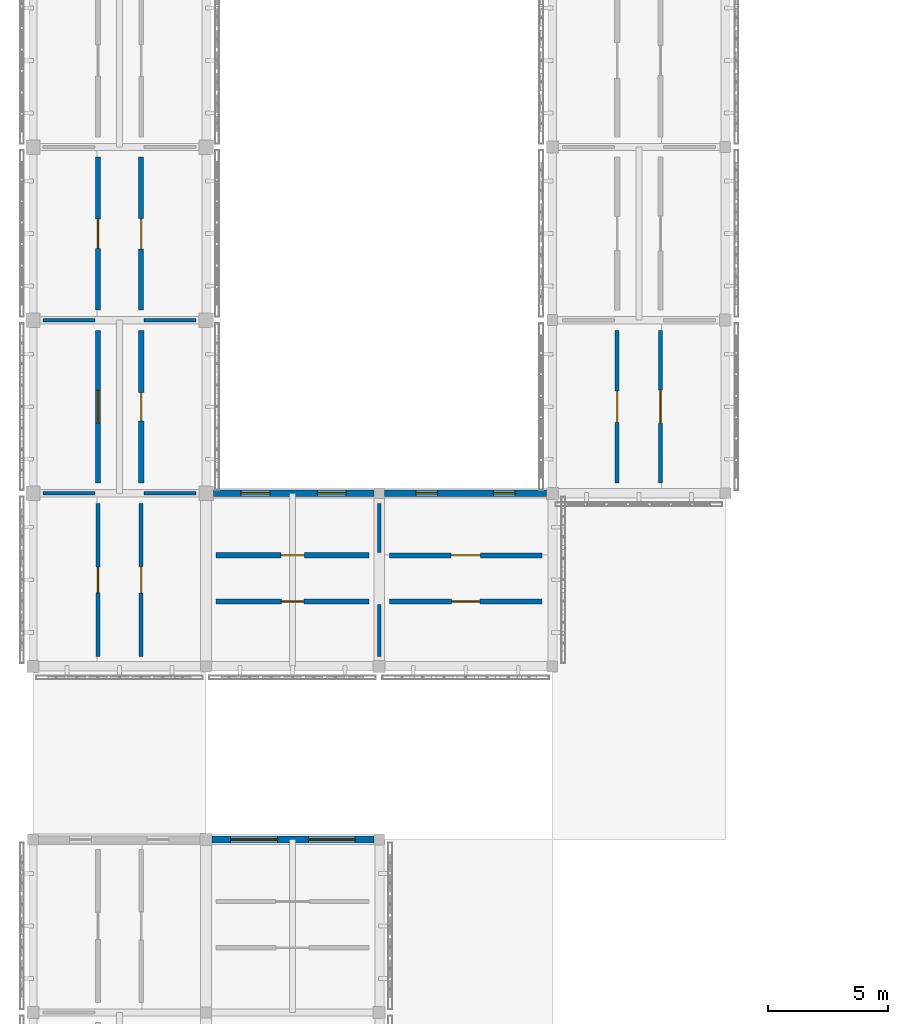
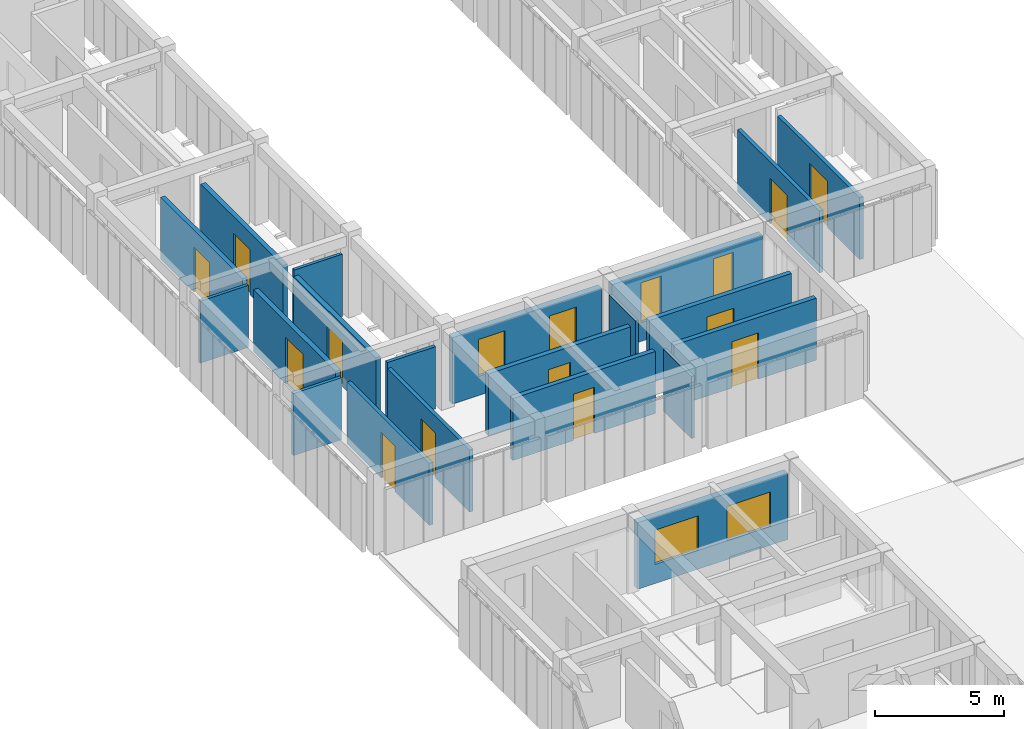
# One storey, part 53 of 67: 21 walls, 12 doors, 6 windows, 18 openings.
"""IFC4 building model written with IfcOpenShell, lengths in metres."""

import ifcopenshell
import ifcopenshell.guid

model = None  # the IFC model being written
_history = None  # IfcOwnerHistory: only IFC2X3 demands one
_inside = {}  # id of a spatial element -> (the spatial element, [elements in it])
_under = {}  # id of a project, library or spatial element -> (it, [spatial elements below it])
_declared = {}  # id of a project -> (the project, [libraries it declares])
_typed = {}  # id of a type object -> (the type object, [elements of that type])
_made_of = {}  # id of a material, layer set ... -> (it, [elements and type objects made of it])


def new_model(schema):
    """Start an empty IFC model of exactly this schema.

    Asked for "IFC4X3", IfcOpenShell would pick the latest addendum, in which some entities
    have other attributes; the version numbers below select the first issue.
    IFC2X3 requires an IfcOwnerHistory on every rooted entity: one is made here for all.
    """
    global model, _history
    if schema == "IFC4X3":
        model = ifcopenshell.file(schema_version=(4, 3, 0, 0))
    else:
        model = ifcopenshell.file(schema=schema)
    _inside.clear()
    _under.clear()
    _declared.clear()
    _typed.clear()
    _made_of.clear()
    _history = None
    if model.schema == "IFC2X3":
        org = make("IfcOrganization", Name="unknown")
        user = make(
            "IfcPersonAndOrganization",
            ThePerson=make("IfcPerson", FamilyName="unknown"),
            TheOrganization=org,
        )
        app = make(
            "IfcApplication",
            ApplicationDeveloper=org,
            Version="unknown",
            ApplicationFullName="unknown",
            ApplicationIdentifier="unknown",
        )
        _history = make(
            "IfcOwnerHistory",
            OwningUser=user,
            OwningApplication=app,
            ChangeAction="ADDED",
            CreationDate=0,
        )
    return model


def make(cls, **values):
    """One entity of the class cls with the attributes given. An attribute that is None is left unset."""
    return model.create_entity(
        cls, **{name: value for name, value in values.items() if value is not None}
    )


def rooted(cls, **values):
    """An entity with a GlobalId (a new one), such as an element, a storey or a relation."""
    return make(cls, GlobalId=ifcopenshell.guid.new(), OwnerHistory=_history, **values)


def si_unit(unit_type, name, prefix=None):
    """IfcSIUnit, for example si_unit("LENGTHUNIT", "METRE", prefix="MILLI")."""
    return make("IfcSIUnit", UnitType=unit_type, Prefix=prefix, Name=name)


def assignment(units):
    """IfcUnitAssignment: the units of a project."""
    return None if units is None else make("IfcUnitAssignment", Units=units)


def point(xyz):
    """IfcCartesianPoint."""
    return None if xyz is None else make("IfcCartesianPoint", Coordinates=xyz)


def direction(xyz):
    """IfcDirection."""
    return None if xyz is None else make("IfcDirection", DirectionRatios=xyz)


def frame(location, z_axis=None, x_axis=None):
    """IfcAxis2Placement3D, a coordinate frame: its origin and axes. An axis left out is left unset."""
    return make(
        "IfcAxis2Placement3D",
        Location=point(location),
        Axis=direction(z_axis),
        RefDirection=direction(x_axis),
    )


def frame_2d(location, x_axis=None):
    """IfcAxis2Placement2D, a coordinate frame in the plane: its origin and x axis."""
    return make(
        "IfcAxis2Placement2D", Location=point(location), RefDirection=direction(x_axis)
    )


def origin():
    """The frame at (0, 0, 0) with its axes left unset."""
    return frame((0.0, 0.0, 0.0))


def place(relative_to, where):
    """IfcLocalPlacement: puts the frame where relative to a parent placement (None: the world)."""
    return make(
        "IfcLocalPlacement", PlacementRelTo=relative_to, RelativePlacement=where
    )


def context(
    kind, dimensions, precision=None, world=None, true_north=None, identifier=None
):
    """IfcGeometricRepresentationContext, for example the 3D "Model" context."""
    return make(
        "IfcGeometricRepresentationContext",
        ContextIdentifier=identifier,
        ContextType=kind,
        CoordinateSpaceDimension=dimensions,
        Precision=precision,
        WorldCoordinateSystem=world,
        TrueNorth=true_north,
    )


def subcontext(parent, identifier, kind, view, scale=None):
    """IfcGeometricRepresentationSubContext, for example "Body" below "Model"."""
    return make(
        "IfcGeometricRepresentationSubContext",
        ContextIdentifier=identifier,
        ContextType=kind,
        ParentContext=parent,
        TargetScale=scale,
        TargetView=view,
    )


def project(units=None, contexts=None):
    """IfcProject with its units and contexts."""
    return rooted(
        "IfcProject",
        Name="project",
        RepresentationContexts=contexts,
        UnitsInContext=assignment(units),
    )


def spatial(cls, under=None, at=None, **own):
    """A site, building, storey or space (cls), placed at a placement, below another one or the project."""
    s = rooted(cls, ObjectPlacement=at, **own)
    if under is not None:
        _under.setdefault(under.id(), (under, []))[1].append(s)
    return s


def profile(cls, at=None, kind="AREA", **sizes):
    """A parametric profile (cls). Its sizes go by their IFC names, for example OverallWidth=200.0."""
    return make(cls, ProfileType=kind, Position=at, **sizes)


def rectangle(**sizes):
    """IfcRectangleProfileDef."""
    return profile("IfcRectangleProfileDef", **sizes)


def extrude(swept, where, along, depth):
    """IfcExtrudedAreaSolid: the profile swept, set in the frame where, extruded along a direction by depth."""
    return make(
        "IfcExtrudedAreaSolid",
        SweptArea=swept,
        Position=where,
        ExtrudedDirection=direction(along),
        Depth=depth,
    )


def shape(context_of_items, identifier, shape_type, items):
    """IfcShapeRepresentation: the items that make up one representation, for example the "Body"."""
    return make(
        "IfcShapeRepresentation",
        ContextOfItems=context_of_items,
        RepresentationIdentifier=identifier,
        RepresentationType=shape_type,
        Items=items,
    )


def material(Name=None, Category=None):
    """IfcMaterial."""
    return make("IfcMaterial", Name=Name, Category=Category)


def layer(
    of_material, thickness, ventilated=None, Name=None, Category=None, Priority=None
):
    """IfcMaterialLayer: one layer of a wall or slab, of a material (None: an air gap)."""
    return make(
        "IfcMaterialLayer",
        Material=of_material,
        LayerThickness=thickness,
        IsVentilated=ventilated,
        Name=Name,
        Category=Category,
        Priority=Priority,
    )


def layer_set(layers, Name=None):
    """IfcMaterialLayerSet."""
    return make("IfcMaterialLayerSet", MaterialLayers=layers, LayerSetName=Name)


def made_of(thing, what):
    """Note that an element or type object is made of a material, layer set ...; save() writes the relation."""
    if what is not None:
        _made_of.setdefault(what.id(), (what, []))[1].append(thing)
    return thing


def type_object(cls, material=None, **own):
    """A type object (cls), such as IfcWallType, which elements share."""
    return made_of(rooted(cls, **own), material)


def element(
    cls,
    number,
    at=None,
    inside=None,
    cuts=None,
    type_object=None,
    material=None,
    context=None,
    identifier="Body",
    shape_type=None,
    held_by="IfcProductDefinitionShape",
    body=None,
    shapes=None,
    **own,
):
    """One element of the class cls, such as IfcWall. Its Tag is "e" and its number.

    at: its placement. inside: the storey or other place that contains it. cuts: it is an
    opening in that element (IfcRelVoidsElement). A single representation is given by context,
    identifier, shape_type and body (its items); several are given by shapes. held_by: the class
    of the entity that holds the representations. save() writes the other relations.
    """
    e = rooted(cls, Tag="e%d" % number, ObjectPlacement=at, **own)
    if body is not None:
        shapes = [shape(context, identifier, shape_type, body)]
    if shapes is not None:
        e.Representation = make(held_by, Representations=shapes)
    if inside is not None:
        _inside.setdefault(inside.id(), (inside, []))[1].append(e)
    if cuts is not None:
        rooted(
            "IfcRelVoidsElement", RelatingBuildingElement=cuts, RelatedOpeningElement=e
        )
    if type_object is not None:
        _typed.setdefault(type_object.id(), (type_object, []))[1].append(e)
    return made_of(e, material)


def fill(opening, filler):
    """IfcRelFillsElement: the door or window that sits in an opening."""
    return rooted(
        "IfcRelFillsElement",
        RelatingOpeningElement=opening,
        RelatedBuildingElement=filler,
    )


def aggregate(whole, parts):
    """IfcRelAggregates: a whole, such as a stair, and the parts it consists of."""
    return rooted("IfcRelAggregates", RelatingObject=whole, RelatedObjects=parts)


def save(model, path):
    """Write the relations noted so far, then the file.

    IfcRelAggregates (storeys below a building ...), IfcRelContainedInSpatialStructure (elements
    in a storey), IfcRelDefinesByType, IfcRelAssociatesMaterial and IfcRelDeclares: one each for
    every whole, place, type object, material and project.
    """
    for whole, parts in _under.values():
        aggregate(whole, parts)
    for where, things in _inside.values():
        rooted(
            "IfcRelContainedInSpatialStructure",
            RelatedElements=things,
            RelatingStructure=where,
        )
    for kind, things in _typed.values():
        rooted("IfcRelDefinesByType", RelatedObjects=things, RelatingType=kind)
    for what, things in _made_of.values():
        rooted("IfcRelAssociatesMaterial", RelatedObjects=things, RelatingMaterial=what)
    for by, libraries in _declared.values():
        rooted("IfcRelDeclares", RelatingContext=by, RelatedDefinitions=libraries)
    model.write(path)


model = new_model("IFC4")

# Units and contexts
model_context = context("Model", 3, precision=1e-05, world=origin(), true_north=direction((0.0, 1.0)))
body_context = subcontext(model_context, "Body", "Model", "MODEL_VIEW")
ifc_project = project(units=[si_unit("LENGTHUNIT", "METRE"), si_unit("AREAUNIT", "SQUARE_METRE"), si_unit("VOLUMEUNIT", "CUBIC_METRE"), si_unit("PLANEANGLEUNIT", "RADIAN"), si_unit("MASSUNIT", "GRAM", prefix="KILO")], contexts=[model_context])

# Site, building, storey
site_placement = place(None, origin())
site = spatial("IfcSite", under=ifc_project, at=site_placement, CompositionType="ELEMENT")
building_placement = place(site_placement, origin())
building = spatial("IfcBuilding", under=site, at=building_placement, Name="Aldebral Square Health Centre", CompositionType="ELEMENT")
storey_placement = place(building_placement, frame((0.0, 0.0, 13.5)))
storey = spatial("IfcBuildingStorey", under=building, at=storey_placement, Name="L03", CompositionType="ELEMENT", Elevation=13.5)

# Wall, openings, windows
ifc_material_1 = material(Name="Ochre mineral-rendered concrete C35/45 court wall", Category="concrete")
ifc_layer_1 = layer(ifc_material_1, 0.280029296875, Name="Ochre mineral-rendered concrete C35/45 court wall", Category="concrete")
ifc_layer_set_1 = layer_set([ifc_layer_1], Name="Ochre mineral-rendered concrete C35/45 court wall")
wall_type_1 = type_object("IfcWallType", Name="EW-OCH-280", PredefinedType="STANDARD", material=ifc_layer_set_1)
wall_1_placement = place(storey_placement, frame((14.175048828125, 50.39990234375, 0.0), z_axis=(0.0, 0.0, 1.0), x_axis=(-1.0, 0.0, 0.0)))
wall_1 = element("IfcWall", 1, at=wall_1_placement, inside=storey, type_object=wall_type_1, Name="L03 V6 exterior wall L03-V6-01-06-N", PredefinedType="STANDARD", context=body_context, shape_type="SweptSolid", body=[
    extrude(rectangle(XDim=6.72509765625, YDim=0.280029296875, at=frame_2d((3.362548828125, 0.0))), origin(), (0.0, 0.0, 1.0), 3.139892578125),
])
opening_1_placement = place(wall_1_placement, frame((0.77490234375, 0.0, 0.89990234375)))
opening_1 = element("IfcOpeningElement", 2, at=opening_1_placement, cuts=wall_1, Name="Opening W35", PredefinedType="OPENING", context=body_context, shape_type="SweptSolid", body=[
    extrude(rectangle(XDim=1.949951171875, YDim=1.6201171875, at=frame_2d((0.97509765625, 0.81005859375))), frame((0.0, 0.14990234375, 0.0), z_axis=(0.0, -1.0, 0.0), x_axis=(1.0, 0.0, 0.0)), (0.0, 0.0, 1.0), 0.300048828125),
])
opening_2_placement = place(wall_1_placement, frame((4.0, 0.0, 0.89990234375)))
opening_2 = element("IfcOpeningElement", 3, at=opening_2_placement, cuts=wall_1, Name="Opening W35", PredefinedType="OPENING", context=body_context, shape_type="SweptSolid", body=[
    extrude(rectangle(XDim=1.949951171875, YDim=1.6201171875, at=frame_2d((0.97509765625, 0.81005859375))), frame((0.0, 0.14990234375, 0.0), z_axis=(0.0, -1.0, 0.0), x_axis=(1.0, 0.0, 0.0)), (0.0, 0.0, 1.0), 0.300048828125),
])
ifc_material_2 = material(Name="Thermally broken aluminium and low-E glass", Category="aluminium")
window_type_1 = type_object("IfcWindowType", Name="WIN-W35", PartitioningType="SINGLE_PANEL", PredefinedType="WINDOW", material=ifc_material_2)
window_1_placement = place(opening_1_placement, origin())
window_1 = element("IfcWindow", 4, at=window_1_placement, inside=storey, type_object=window_type_1, Name="L03 clinical window L03-V6-01-06-N.1", OverallHeight=1.6201171875, OverallWidth=1.949951171875, PartitioningType="SINGLE_PANEL", PredefinedType="WINDOW", context=body_context, shape_type="SweptSolid", body=[
    extrude(rectangle(XDim=1.949951171875, YDim=1.6201171875, at=frame_2d((0.97509765625, 0.81005859375))), frame((0.0, 0.030029296875, 0.0), z_axis=(0.0, -1.0, 0.0), x_axis=(1.0, 0.0, 0.0)), (0.0, 0.0, 1.0), 0.06005859375),
])
fill(opening_1, window_1)
window_2_placement = place(opening_2_placement, origin())
window_2 = element("IfcWindow", 5, at=window_2_placement, inside=storey, type_object=window_type_1, Name="L03 clinical window L03-V6-01-06-N.2", OverallHeight=1.6201171875, OverallWidth=1.949951171875, PartitioningType="SINGLE_PANEL", PredefinedType="WINDOW", context=body_context, shape_type="SweptSolid", body=[
    extrude(rectangle(XDim=1.949951171875, YDim=1.6201171875, at=frame_2d((0.97509765625, 0.81005859375))), frame((0.0, 0.030029296875, 0.0), z_axis=(0.0, -1.0, 0.0), x_axis=(1.0, 0.0, 0.0)), (0.0, 0.0, 1.0), 0.06005859375),
])
fill(opening_2, window_2)

wall_2_placement = place(storey_placement, frame((14.175048828125, 64.800048828125, 0.0), z_axis=(0.0, 0.0, 1.0), x_axis=(-1.0, 0.0, 0.0)))
wall_2 = element("IfcWall", 6, at=wall_2_placement, inside=storey, type_object=wall_type_1, Name="L03 V4 exterior wall L03-V4-01-08-N", PredefinedType="STANDARD", context=body_context, shape_type="SweptSolid", body=[
    extrude(rectangle(XDim=6.675048828125, YDim=0.280029296875, at=frame_2d((3.33740234375, 0.0))), origin(), (0.0, 0.0, 1.0), 3.139892578125),
])
opening_3_placement = place(wall_2_placement, frame((1.14990234375, 0.0, 0.89990234375)))
opening_3 = element("IfcOpeningElement", 7, at=opening_3_placement, cuts=wall_2, Name="Opening W39", PredefinedType="OPENING", context=body_context, shape_type="SweptSolid", body=[
    extrude(rectangle(XDim=1.199951171875, YDim=1.75, at=frame_2d((0.60009765625, 0.875))), frame((0.0, 0.14990234375, 0.0), z_axis=(0.0, -1.0, 0.0), x_axis=(1.0, 0.0, 0.0)), (0.0, 0.0, 1.0), 0.300048828125),
])
opening_4_placement = place(wall_2_placement, frame((4.324951171875, 0.0, 0.89990234375)))
opening_4 = element("IfcOpeningElement", 8, at=opening_4_placement, cuts=wall_2, Name="Opening W39", PredefinedType="OPENING", context=body_context, shape_type="SweptSolid", body=[
    extrude(rectangle(XDim=1.199951171875, YDim=1.75, at=frame_2d((0.60009765625, 0.875))), frame((0.0, 0.14990234375, 0.0), z_axis=(0.0, -1.0, 0.0), x_axis=(1.0, 0.0, 0.0)), (0.0, 0.0, 1.0), 0.300048828125),
])
window_type_2 = type_object("IfcWindowType", Name="WIN-W39", PartitioningType="SINGLE_PANEL", PredefinedType="WINDOW", material=ifc_material_2)
window_3_placement = place(opening_3_placement, origin())
window_3 = element("IfcWindow", 9, at=window_3_placement, inside=storey, type_object=window_type_2, Name="L03 clinical window L03-V4-01-08-N.1", OverallHeight=1.75, OverallWidth=1.199951171875, PartitioningType="SINGLE_PANEL", PredefinedType="WINDOW", context=body_context, shape_type="SweptSolid", body=[
    extrude(rectangle(XDim=1.199951171875, YDim=1.75, at=frame_2d((0.60009765625, 0.875))), frame((0.0, 0.030029296875, 0.0), z_axis=(0.0, -1.0, 0.0), x_axis=(1.0, 0.0, 0.0)), (0.0, 0.0, 1.0), 0.06005859375),
])
fill(opening_3, window_3)
window_4_placement = place(opening_4_placement, origin())
window_4 = element("IfcWindow", 10, at=window_4_placement, inside=storey, type_object=window_type_2, Name="L03 clinical window L03-V4-01-08-N.2", OverallHeight=1.75, OverallWidth=1.199951171875, PartitioningType="SINGLE_PANEL", PredefinedType="WINDOW", context=body_context, shape_type="SweptSolid", body=[
    extrude(rectangle(XDim=1.199951171875, YDim=1.75, at=frame_2d((0.60009765625, 0.875))), frame((0.0, 0.030029296875, 0.0), z_axis=(0.0, -1.0, 0.0), x_axis=(1.0, 0.0, 0.0)), (0.0, 0.0, 1.0), 0.06005859375),
])
fill(opening_4, window_4)

wall_3_placement = place(storey_placement, frame((21.35009765625, 64.800048828125, 0.0), z_axis=(0.0, 0.0, 1.0), x_axis=(-1.0, 0.0, 0.0)))
wall_3 = element("IfcWall", 11, at=wall_3_placement, inside=storey, type_object=wall_type_1, Name="L03 V4 exterior wall L03-V4-02-08-N", PredefinedType="STANDARD", context=body_context, shape_type="SweptSolid", body=[
    extrude(rectangle(XDim=6.72509765625, YDim=0.280029296875, at=frame_2d((3.362548828125, 0.0))), origin(), (0.0, 0.0, 1.0), 3.139892578125),
])
opening_5_placement = place(wall_3_placement, frame((1.300048828125, 0.0, 0.89990234375)))
opening_5 = element("IfcOpeningElement", 12, at=opening_5_placement, cuts=wall_3, Name="Opening W46", PredefinedType="OPENING", context=body_context, shape_type="SweptSolid", body=[
    extrude(rectangle(XDim=0.89990234375, YDim=1.8798828125, at=frame_2d((0.449951171875, 0.93994140625))), frame((0.0, 0.14990234375, 0.0), z_axis=(0.0, -1.0, 0.0), x_axis=(1.0, 0.0, 0.0)), (0.0, 0.0, 1.0), 0.300048828125),
])
opening_6_placement = place(wall_3_placement, frame((4.52490234375, 0.0, 0.89990234375)))
opening_6 = element("IfcOpeningElement", 13, at=opening_6_placement, cuts=wall_3, Name="Opening W46", PredefinedType="OPENING", context=body_context, shape_type="SweptSolid", body=[
    extrude(rectangle(XDim=0.89990234375, YDim=1.8798828125, at=frame_2d((0.449951171875, 0.93994140625))), frame((0.0, 0.14990234375, 0.0), z_axis=(0.0, -1.0, 0.0), x_axis=(1.0, 0.0, 0.0)), (0.0, 0.0, 1.0), 0.300048828125),
])
window_type_3 = type_object("IfcWindowType", Name="WIN-W46", PartitioningType="SINGLE_PANEL", PredefinedType="WINDOW", material=ifc_material_2)
window_5_placement = place(opening_5_placement, origin())
window_5 = element("IfcWindow", 14, at=window_5_placement, inside=storey, type_object=window_type_3, Name="L03 clinical window L03-V4-02-08-N.1", OverallHeight=1.8798828125, OverallWidth=0.89990234375, PartitioningType="SINGLE_PANEL", PredefinedType="WINDOW", context=body_context, shape_type="SweptSolid", body=[
    extrude(rectangle(XDim=0.89990234375, YDim=1.8798828125, at=frame_2d((0.449951171875, 0.93994140625))), frame((0.0, 0.030029296875, 0.0), z_axis=(0.0, -1.0, 0.0), x_axis=(1.0, 0.0, 0.0)), (0.0, 0.0, 1.0), 0.06005859375),
])
fill(opening_5, window_5)
window_6_placement = place(opening_6_placement, origin())
window_6 = element("IfcWindow", 15, at=window_6_placement, inside=storey, type_object=window_type_3, Name="L03 clinical window L03-V4-02-08-N.2", OverallHeight=1.8798828125, OverallWidth=0.89990234375, PartitioningType="SINGLE_PANEL", PredefinedType="WINDOW", context=body_context, shape_type="SweptSolid", body=[
    extrude(rectangle(XDim=0.89990234375, YDim=1.8798828125, at=frame_2d((0.449951171875, 0.93994140625))), frame((0.0, 0.030029296875, 0.0), z_axis=(0.0, -1.0, 0.0), x_axis=(1.0, 0.0, 0.0)), (0.0, 0.0, 1.0), 0.06005859375),
])
fill(opening_6, window_6)

# Wall, opening, door
ifc_material_3 = material(Name="Concrete C35/45 compartment wall", Category="concrete")
ifc_layer_2 = layer(ifc_material_3, 0.199951171875, Name="Concrete C35/45 compartment wall", Category="concrete")
ifc_layer_set_2 = layer_set([ifc_layer_2], Name="Concrete C35/45 compartment wall")
wall_type_2 = type_object("IfcWallType", Name="IW-CMP-200", PredefinedType="SOLIDWALL", material=ifc_layer_set_2)
wall_4_placement = place(storey_placement, frame((2.699951171875, 72.419921875, 0.0), z_axis=(0.0, 0.0, 1.0), x_axis=(0.0, 1.0, 0.0)))
wall_4 = element("IfcWall", 16, at=wall_4_placement, inside=storey, type_object=wall_type_2, Name="L03 Paediatric Examination Room 1.11W corridor wall", PredefinedType="SOLIDWALL", context=body_context, shape_type="SweptSolid", body=[
    extrude(rectangle(XDim=6.360107421875, YDim=0.199951171875, at=frame_2d((3.18017578125, 0.0))), origin(), (0.0, 0.0, 1.0), 2.929931640625),
])
opening_7_placement = place(wall_4_placement, frame((2.570068359375, 0.0, 0.0)))
opening_7 = element("IfcOpeningElement", 17, at=opening_7_placement, cuts=wall_4, Name="Opening D-0538", PredefinedType="OPENING", context=body_context, shape_type="SweptSolid", body=[
    extrude(rectangle(XDim=1.219970703125, YDim=2.139892578125, at=frame_2d((0.60986328125, 1.06982421875))), frame((0.0, 0.10986328125, 0.0), z_axis=(0.0, -1.0, 0.0), x_axis=(1.0, 0.0, 0.0)), (0.0, 0.0, 1.0), 0.219970703125),
])
ifc_material_4 = material(Name="Clinical suite fire door")
door_type_1 = type_object("IfcDoorType", Name="ID-EXD-40", OperationType="NOTDEFINED", PredefinedType="DOOR", material=ifc_material_4)
door_1_placement = place(opening_7_placement, origin())
door_1 = element("IfcDoor", 18, at=door_1_placement, inside=storey, type_object=door_type_1, Name="L03 Paediatric Examination Room 1.11W door", OperationType="SINGLE_SWING_LEFT", OverallHeight=2.139892578125, OverallWidth=1.219970703125, PredefinedType="DOOR", context=body_context, shape_type="SweptSolid", body=[
    extrude(rectangle(XDim=1.219970703125, YDim=2.139892578125, at=frame_2d((0.60986328125, 1.06982421875))), frame((0.0, 0.02490234375, 0.0), z_axis=(0.0, -1.0, 0.0), x_axis=(1.0, 0.0, 0.0)), (0.0, 0.0, 1.0), 0.050048828125),
])
fill(opening_7, door_1)

ifc_layer_3 = layer(ifc_material_3, 0.219970703125, Name="Concrete C35/45 compartment wall", Category="concrete")
ifc_layer_set_3 = layer_set([ifc_layer_3], Name="Concrete C35/45 compartment wall")
wall_type_3 = type_object("IfcWallType", Name="IW-CMP-220", PredefinedType="SOLIDWALL", material=ifc_layer_set_3)
wall_5_placement = place(storey_placement, frame((2.699951171875, 65.219970703125, 0.0), z_axis=(0.0, 0.0, 1.0), x_axis=(0.0, 1.0, 0.0)))
wall_5 = element("IfcWall", 19, at=wall_5_placement, inside=storey, type_object=wall_type_3, Name="L03 Panoramic Dental X-Ray 1.10W corridor wall", PredefinedType="SOLIDWALL", context=body_context, shape_type="SweptSolid", body=[
    extrude(rectangle(XDim=6.360107421875, YDim=0.219970703125, at=frame_2d((3.18017578125, 0.0))), origin(), (0.0, 0.0, 1.0), 2.929931640625),
])
opening_8_placement = place(wall_5_placement, frame((2.5048828125, 0.0, 0.0)))
opening_8 = element("IfcOpeningElement", 20, at=opening_8_placement, cuts=wall_5, Name="Opening D-0536", PredefinedType="OPENING", context=body_context, shape_type="SweptSolid", body=[
    extrude(rectangle(XDim=1.35009765625, YDim=2.199951171875, at=frame_2d((0.675048828125, 1.10009765625))), frame((0.0, 0.1201171875, 0.0), z_axis=(0.0, -1.0, 0.0), x_axis=(1.0, 0.0, 0.0)), (0.0, 0.0, 1.0), 0.239990234375),
])
ifc_material_5 = material(Name="Lead-lined imaging suite door")
door_type_2 = type_object("IfcDoorType", Name="ID-IM-135", OperationType="NOTDEFINED", PredefinedType="DOOR", material=ifc_material_5)
door_2_placement = place(opening_8_placement, origin())
door_2 = element("IfcDoor", 21, at=door_2_placement, inside=storey, type_object=door_type_2, Name="L03 Panoramic Dental X-Ray 1.10W door", OperationType="SINGLE_SWING_LEFT", OverallHeight=2.199951171875, OverallWidth=1.35009765625, PredefinedType="DOOR", context=body_context, shape_type="SweptSolid", body=[
    extrude(rectangle(XDim=1.35009765625, YDim=2.199951171875, at=frame_2d((0.675048828125, 1.10009765625))), frame((0.0, 0.02490234375, 0.0), z_axis=(0.0, -1.0, 0.0), x_axis=(1.0, 0.0, 0.0)), (0.0, 0.0, 1.0), 0.050048828125),
])
fill(opening_8, door_2)

wall_6_placement = place(storey_placement, frame((4.5, 65.219970703125, 0.0), z_axis=(0.0, 0.0, 1.0), x_axis=(0.0, 1.0, 0.0)))
wall_6 = element("IfcWall", 22, at=wall_6_placement, inside=storey, type_object=wall_type_3, Name="L03 Oral Hygiene Suite 1.10E corridor wall", PredefinedType="SOLIDWALL", context=body_context, shape_type="SweptSolid", body=[
    extrude(rectangle(XDim=6.360107421875, YDim=0.219970703125, at=frame_2d((3.18017578125, 0.0))), origin(), (0.0, 0.0, 1.0), 2.929931640625),
])
opening_9_placement = place(wall_6_placement, frame((2.590087890625, 0.0, 0.0)))
opening_9 = element("IfcOpeningElement", 23, at=opening_9_placement, cuts=wall_6, Name="Opening D-0537", PredefinedType="OPENING", context=body_context, shape_type="SweptSolid", body=[
    extrude(rectangle(XDim=1.179931640625, YDim=2.139892578125, at=frame_2d((0.58984375, 1.06982421875))), frame((0.0, 0.1201171875, 0.0), z_axis=(0.0, -1.0, 0.0), x_axis=(1.0, 0.0, 0.0)), (0.0, 0.0, 1.0), 0.239990234375),
])
door_type_3 = type_object("IfcDoorType", Name="ID-EXD-39", OperationType="NOTDEFINED", PredefinedType="DOOR", material=ifc_material_4)
door_3_placement = place(opening_9_placement, origin())
door_3 = element("IfcDoor", 24, at=door_3_placement, inside=storey, type_object=door_type_3, Name="L03 Oral Hygiene Suite 1.10E door", OperationType="SINGLE_SWING_RIGHT", OverallHeight=2.139892578125, OverallWidth=1.179931640625, PredefinedType="DOOR", context=body_context, shape_type="SweptSolid", body=[
    extrude(rectangle(XDim=1.179931640625, YDim=2.139892578125, at=frame_2d((0.58984375, 1.06982421875))), frame((0.0, 0.02490234375, 0.0), z_axis=(0.0, -1.0, 0.0), x_axis=(1.0, 0.0, 0.0)), (0.0, 0.0, 1.0), 0.050048828125),
])
fill(opening_9, door_3)

wall_7_placement = place(storey_placement, frame((7.6201171875, 62.219970703125, 0.0), z_axis=(0.0, 0.0, 1.0), x_axis=(1.0, 0.0, 0.0)))
wall_7 = element("IfcWall", 25, at=wall_7_placement, inside=storey, type_object=wall_type_3, Name="L03 Dental Clinic Operatory 2.9N corridor wall", PredefinedType="SOLIDWALL", context=body_context, shape_type="SweptSolid", body=[
    extrude(rectangle(XDim=6.35986328125, YDim=0.219970703125, at=frame_2d((3.179931640625, 0.0))), origin(), (0.0, 0.0, 1.0), 2.929931640625),
])
opening_10_placement = place(wall_7_placement, frame((2.68994140625, 0.0, 0.0)))
opening_10 = element("IfcOpeningElement", 26, at=opening_10_placement, cuts=wall_7, Name="Opening D-0548", PredefinedType="OPENING", context=body_context, shape_type="SweptSolid", body=[
    extrude(rectangle(XDim=0.97998046875, YDim=2.18994140625, at=frame_2d((0.489990234375, 1.094970703125))), frame((0.0, 0.1201171875, 0.0), z_axis=(0.0, -1.0, 0.0), x_axis=(1.0, 0.0, 0.0)), (0.0, 0.0, 1.0), 0.239990234375),
])
door_type_4 = type_object("IfcDoorType", Name="ID-EXD-50", OperationType="NOTDEFINED", PredefinedType="DOOR", material=ifc_material_4)
door_4_placement = place(opening_10_placement, origin())
door_4 = element("IfcDoor", 27, at=door_4_placement, inside=storey, type_object=door_type_4, Name="L03 Dental Clinic Operatory 2.9N door", OperationType="SINGLE_SWING_LEFT", OverallHeight=2.18994140625, OverallWidth=0.97998046875, PredefinedType="DOOR", context=body_context, shape_type="SweptSolid", body=[
    extrude(rectangle(XDim=0.97998046875, YDim=2.18994140625, at=frame_2d((0.489990234375, 1.094970703125))), frame((0.0, 0.02490234375, 0.0), z_axis=(0.0, -1.0, 0.0), x_axis=(1.0, 0.0, 0.0)), (0.0, 0.0, 1.0), 0.050048828125),
])
fill(opening_10, door_4)

ifc_material_6 = material(Name="Fire-rated acoustic gypsum partition")
ifc_layer_4 = layer(ifc_material_6, 0.1650390625, Name="Fire-rated acoustic gypsum partition")
ifc_layer_set_4 = layer_set([ifc_layer_4], Name="Fire-rated acoustic gypsum partition")
wall_type_4 = type_object("IfcWallType", Name="IW-COR-165", PredefinedType="PARTITIONING", material=ifc_layer_set_4)
wall_8_placement = place(storey_placement, frame((2.699951171875, 58.02001953125, 0.0), z_axis=(0.0, 0.0, 1.0), x_axis=(0.0, 1.0, 0.0)))
wall_8 = element("IfcWall", 28, at=wall_8_placement, inside=storey, type_object=wall_type_4, Name="L03 Dental Clinic Operatory 1.9W corridor wall", PredefinedType="PARTITIONING", context=body_context, shape_type="SweptSolid", body=[
    extrude(rectangle(XDim=6.35986328125, YDim=0.1650390625, at=frame_2d((3.179931640625, 0.0))), origin(), (0.0, 0.0, 1.0), 2.929931640625),
])
opening_11_placement = place(wall_8_placement, frame((2.64990234375, 0.0, 0.0)))
opening_11 = element("IfcOpeningElement", 29, at=opening_11_placement, cuts=wall_8, Name="Opening D-0534", PredefinedType="OPENING", context=body_context, shape_type="SweptSolid", body=[
    extrude(rectangle(XDim=1.06005859375, YDim=2.139892578125, at=frame_2d((0.530029296875, 1.06982421875))), frame((0.0, 0.092529296875, 0.0), z_axis=(0.0, -1.0, 0.0), x_axis=(1.0, 0.0, 0.0)), (0.0, 0.0, 1.0), 0.18505859375),
])
door_type_5 = type_object("IfcDoorType", Name="ID-EXD-36", OperationType="NOTDEFINED", PredefinedType="DOOR", material=ifc_material_4)
door_5_placement = place(opening_11_placement, origin())
door_5 = element("IfcDoor", 30, at=door_5_placement, inside=storey, type_object=door_type_5, Name="L03 Dental Clinic Operatory 1.9W door", OperationType="SINGLE_SWING_LEFT", OverallHeight=2.139892578125, OverallWidth=1.06005859375, PredefinedType="DOOR", context=body_context, shape_type="SweptSolid", body=[
    extrude(rectangle(XDim=1.06005859375, YDim=2.139892578125, at=frame_2d((0.530029296875, 1.06982421875))), frame((0.0, 0.02490234375, 0.0), z_axis=(0.0, -1.0, 0.0), x_axis=(1.0, 0.0, 0.0)), (0.0, 0.0, 1.0), 0.050048828125),
])
fill(opening_11, door_5)

wall_9_placement = place(storey_placement, frame((4.5, 58.02001953125, 0.0), z_axis=(0.0, 0.0, 1.0), x_axis=(0.0, 1.0, 0.0)))
wall_9 = element("IfcWall", 31, at=wall_9_placement, inside=storey, type_object=wall_type_4, Name="L03 Dental Sterilization Room 1.9E corridor wall", PredefinedType="PARTITIONING", context=body_context, shape_type="SweptSolid", body=[
    extrude(rectangle(XDim=6.35986328125, YDim=0.1650390625, at=frame_2d((3.179931640625, 0.0))), origin(), (0.0, 0.0, 1.0), 2.929931640625),
])
opening_12_placement = place(wall_9_placement, frame((2.6298828125, 0.0, 0.0)))
opening_12 = element("IfcOpeningElement", 32, at=opening_12_placement, cuts=wall_9, Name="Opening D-0535", PredefinedType="OPENING", context=body_context, shape_type="SweptSolid", body=[
    extrude(rectangle(XDim=1.10009765625, YDim=2.139892578125, at=frame_2d((0.550048828125, 1.06982421875))), frame((0.0, 0.092529296875, 0.0), z_axis=(0.0, -1.0, 0.0), x_axis=(1.0, 0.0, 0.0)), (0.0, 0.0, 1.0), 0.18505859375),
])
door_type_6 = type_object("IfcDoorType", Name="ID-EXD-37", OperationType="NOTDEFINED", PredefinedType="DOOR", material=ifc_material_4)
door_6_placement = place(opening_12_placement, origin())
door_6 = element("IfcDoor", 33, at=door_6_placement, inside=storey, type_object=door_type_6, Name="L03 Dental Sterilization Room 1.9E door", OperationType="SINGLE_SWING_RIGHT", OverallHeight=2.139892578125, OverallWidth=1.10009765625, PredefinedType="DOOR", context=body_context, shape_type="SweptSolid", body=[
    extrude(rectangle(XDim=1.10009765625, YDim=2.139892578125, at=frame_2d((0.550048828125, 1.06982421875))), frame((0.0, 0.02490234375, 0.0), z_axis=(0.0, -1.0, 0.0), x_axis=(1.0, 0.0, 0.0)), (0.0, 0.0, 1.0), 0.050048828125),
])
fill(opening_12, door_6)

wall_10_placement = place(storey_placement, frame((24.300048828125, 65.219970703125, 0.0), z_axis=(0.0, 0.0, 1.0), x_axis=(0.0, 1.0, 0.0)))
wall_10 = element("IfcWall", 34, at=wall_10_placement, inside=storey, type_object=wall_type_4, Name="L03 Panoramic Dental X-Ray 4.10W corridor wall", PredefinedType="PARTITIONING", context=body_context, shape_type="SweptSolid", body=[
    extrude(rectangle(XDim=6.360107421875, YDim=0.1650390625, at=frame_2d((3.18017578125, 0.0))), origin(), (0.0, 0.0, 1.0), 2.929931640625),
])
opening_13_placement = place(wall_10_placement, frame((2.530029296875, 0.0, 0.0)))
opening_13 = element("IfcOpeningElement", 35, at=opening_13_placement, cuts=wall_10, Name="Opening D-0557", PredefinedType="OPENING", context=body_context, shape_type="SweptSolid", body=[
    extrude(rectangle(XDim=1.300048828125, YDim=2.14990234375, at=frame_2d((0.64990234375, 1.074951171875))), frame((0.0, 0.092529296875, 0.0), z_axis=(0.0, -1.0, 0.0), x_axis=(1.0, 0.0, 0.0)), (0.0, 0.0, 1.0), 0.18505859375),
])
ifc_material_7 = material(Name="Radiography shielded fire door")
door_type_7 = type_object("IfcDoorType", Name="ID-IM-130", OperationType="NOTDEFINED", PredefinedType="DOOR", material=ifc_material_7)
door_7_placement = place(opening_13_placement, origin())
door_7 = element("IfcDoor", 36, at=door_7_placement, inside=storey, type_object=door_type_7, Name="L03 Panoramic Dental X-Ray 4.10W door", OperationType="SINGLE_SWING_RIGHT", OverallHeight=2.14990234375, OverallWidth=1.300048828125, PredefinedType="DOOR", context=body_context, shape_type="SweptSolid", body=[
    extrude(rectangle(XDim=1.300048828125, YDim=2.14990234375, at=frame_2d((0.64990234375, 1.074951171875))), frame((0.0, 0.02490234375, 0.0), z_axis=(0.0, -1.0, 0.0), x_axis=(1.0, 0.0, 0.0)), (0.0, 0.0, 1.0), 0.050048828125),
])
fill(opening_13, door_7)

wall_11_placement = place(storey_placement, frame((26.10009765625, 65.219970703125, 0.0), z_axis=(0.0, 0.0, 1.0), x_axis=(0.0, 1.0, 0.0)))
wall_11 = element("IfcWall", 37, at=wall_11_placement, inside=storey, type_object=wall_type_4, Name="L03 Oral Hygiene Suite 4.10E corridor wall", PredefinedType="PARTITIONING", context=body_context, shape_type="SweptSolid", body=[
    extrude(rectangle(XDim=6.360107421875, YDim=0.1650390625, at=frame_2d((3.18017578125, 0.0))), origin(), (0.0, 0.0, 1.0), 2.929931640625),
])
opening_14_placement = place(wall_11_placement, frame((2.489990234375, 0.0, 0.0)))
opening_14 = element("IfcOpeningElement", 38, at=opening_14_placement, cuts=wall_11, Name="Opening D-0558", PredefinedType="OPENING", context=body_context, shape_type="SweptSolid", body=[
    extrude(rectangle(XDim=1.3798828125, YDim=2.18994140625, at=frame_2d((0.68994140625, 1.094970703125))), frame((0.0, 0.092529296875, 0.0), z_axis=(0.0, -1.0, 0.0), x_axis=(1.0, 0.0, 0.0)), (0.0, 0.0, 1.0), 0.18505859375),
])
door_type_8 = type_object("IfcDoorType", Name="ID-EXD-60", OperationType="NOTDEFINED", PredefinedType="DOOR", material=ifc_material_4)
door_8_placement = place(opening_14_placement, origin())
door_8 = element("IfcDoor", 39, at=door_8_placement, inside=storey, type_object=door_type_8, Name="L03 Oral Hygiene Suite 4.10E door", OperationType="SINGLE_SWING_LEFT", OverallHeight=2.18994140625, OverallWidth=1.3798828125, PredefinedType="DOOR", context=body_context, shape_type="SweptSolid", body=[
    extrude(rectangle(XDim=1.3798828125, YDim=2.18994140625, at=frame_2d((0.68994140625, 1.094970703125))), frame((0.0, 0.02490234375, 0.0), z_axis=(0.0, -1.0, 0.0), x_axis=(1.0, 0.0, 0.0)), (0.0, 0.0, 1.0), 0.050048828125),
])
fill(opening_14, door_8)

ifc_material_8 = material(Name="Moisture-resistant sanitary chase wall")
ifc_layer_5 = layer(ifc_material_8, 0.2099609375, Name="Moisture-resistant sanitary chase wall")
ifc_layer_set_5 = layer_set([ifc_layer_5], Name="Moisture-resistant sanitary chase wall")
wall_type_5 = type_object("IfcWallType", Name="IW-PLB-210", PredefinedType="PLUMBINGWALL", material=ifc_layer_set_5)
wall_12_placement = place(storey_placement, frame((4.5, 72.419921875, 0.0), z_axis=(0.0, 0.0, 1.0), x_axis=(0.0, 1.0, 0.0)))
wall_12 = element("IfcWall", 40, at=wall_12_placement, inside=storey, type_object=wall_type_5, Name="L03 Accessible WC 1.11E corridor wall", PredefinedType="PLUMBINGWALL", context=body_context, shape_type="SweptSolid", body=[
    extrude(rectangle(XDim=6.360107421875, YDim=0.2099609375, at=frame_2d((3.18017578125, 0.0))), origin(), (0.0, 0.0, 1.0), 2.929931640625),
])
opening_15_placement = place(wall_12_placement, frame((2.550048828125, 0.0, 0.0)))
opening_15 = element("IfcOpeningElement", 41, at=opening_15_placement, cuts=wall_12, Name="Opening D-0539", PredefinedType="OPENING", context=body_context, shape_type="SweptSolid", body=[
    extrude(rectangle(XDim=1.260009765625, YDim=2.139892578125, at=frame_2d((0.6298828125, 1.06982421875))), frame((0.0, 0.114990234375, 0.0), z_axis=(0.0, -1.0, 0.0), x_axis=(1.0, 0.0, 0.0)), (0.0, 0.0, 1.0), 0.22998046875),
])
door_type_9 = type_object("IfcDoorType", Name="ID-EXD-41", OperationType="NOTDEFINED", PredefinedType="DOOR", material=ifc_material_4)
door_9_placement = place(opening_15_placement, origin())
door_9 = element("IfcDoor", 42, at=door_9_placement, inside=storey, type_object=door_type_9, Name="L03 Accessible WC 1.11E door", OperationType="SINGLE_SWING_RIGHT", OverallHeight=2.139892578125, OverallWidth=1.260009765625, PredefinedType="DOOR", context=body_context, shape_type="SweptSolid", body=[
    extrude(rectangle(XDim=1.260009765625, YDim=2.139892578125, at=frame_2d((0.6298828125, 1.06982421875))), frame((0.0, 0.02490234375, 0.0), z_axis=(0.0, -1.0, 0.0), x_axis=(1.0, 0.0, 0.0)), (0.0, 0.0, 1.0), 0.050048828125),
])
fill(opening_15, door_9)

wall_13_placement = place(storey_placement, frame((7.6201171875, 60.300048828125, 0.0), z_axis=(0.0, 0.0, 1.0), x_axis=(1.0, 0.0, 0.0)))
wall_13 = element("IfcWall", 43, at=wall_13_placement, inside=storey, type_object=wall_type_5, Name="L03 Staff Toilet 2.9S corridor wall", PredefinedType="PLUMBINGWALL", context=body_context, shape_type="SweptSolid", body=[
    extrude(rectangle(XDim=6.35986328125, YDim=0.2099609375, at=frame_2d((3.179931640625, 0.0))), origin(), (0.0, 0.0, 1.0), 2.929931640625),
])
opening_16_placement = place(wall_13_placement, frame((2.7099609375, 0.0, 0.0)))
opening_16 = element("IfcOpeningElement", 44, at=opening_16_placement, cuts=wall_13, Name="Opening D-0547", PredefinedType="OPENING", context=body_context, shape_type="SweptSolid", body=[
    extrude(rectangle(XDim=0.93994140625, YDim=2.18994140625, at=frame_2d((0.469970703125, 1.094970703125))), frame((0.0, 0.114990234375, 0.0), z_axis=(0.0, -1.0, 0.0), x_axis=(1.0, 0.0, 0.0)), (0.0, 0.0, 1.0), 0.22998046875),
])
door_type_10 = type_object("IfcDoorType", Name="ID-EXD-49", OperationType="NOTDEFINED", PredefinedType="DOOR", material=ifc_material_4)
door_10_placement = place(opening_16_placement, origin())
door_10 = element("IfcDoor", 45, at=door_10_placement, inside=storey, type_object=door_type_10, Name="L03 Staff Toilet 2.9S door", OperationType="SINGLE_SWING_RIGHT", OverallHeight=2.18994140625, OverallWidth=0.93994140625, PredefinedType="DOOR", context=body_context, shape_type="SweptSolid", body=[
    extrude(rectangle(XDim=0.93994140625, YDim=2.18994140625, at=frame_2d((0.469970703125, 1.094970703125))), frame((0.0, 0.02490234375, 0.0), z_axis=(0.0, -1.0, 0.0), x_axis=(1.0, 0.0, 0.0)), (0.0, 0.0, 1.0), 0.050048828125),
])
fill(opening_16, door_10)

wall_14_placement = place(storey_placement, frame((14.820068359375, 60.300048828125, 0.0), z_axis=(0.0, 0.0, 1.0), x_axis=(1.0, 0.0, 0.0)))
wall_14 = element("IfcWall", 46, at=wall_14_placement, inside=storey, type_object=wall_type_5, Name="L03 Accessible WC 3.9S corridor wall", PredefinedType="PLUMBINGWALL", context=body_context, shape_type="SweptSolid", body=[
    extrude(rectangle(XDim=6.35986328125, YDim=0.2099609375, at=frame_2d((3.179931640625, 0.0))), origin(), (0.0, 0.0, 1.0), 2.929931640625),
])
opening_17_placement = place(wall_14_placement, frame((2.590087890625, 0.0, 0.0)))
opening_17 = element("IfcOpeningElement", 47, at=opening_17_placement, cuts=wall_14, Name="Opening D-0553", PredefinedType="OPENING", context=body_context, shape_type="SweptSolid", body=[
    extrude(rectangle(XDim=1.179931640625, YDim=2.18994140625, at=frame_2d((0.58984375, 1.094970703125))), frame((0.0, 0.114990234375, 0.0), z_axis=(0.0, -1.0, 0.0), x_axis=(1.0, 0.0, 0.0)), (0.0, 0.0, 1.0), 0.22998046875),
])
door_type_11 = type_object("IfcDoorType", Name="ID-EXD-55", OperationType="NOTDEFINED", PredefinedType="DOOR", material=ifc_material_4)
door_11_placement = place(opening_17_placement, origin())
door_11 = element("IfcDoor", 48, at=door_11_placement, inside=storey, type_object=door_type_11, Name="L03 Accessible WC 3.9S door", OperationType="SINGLE_SWING_RIGHT", OverallHeight=2.18994140625, OverallWidth=1.179931640625, PredefinedType="DOOR", context=body_context, shape_type="SweptSolid", body=[
    extrude(rectangle(XDim=1.179931640625, YDim=2.18994140625, at=frame_2d((0.58984375, 1.094970703125))), frame((0.0, 0.02490234375, 0.0), z_axis=(0.0, -1.0, 0.0), x_axis=(1.0, 0.0, 0.0)), (0.0, 0.0, 1.0), 0.050048828125),
])
fill(opening_17, door_11)

wall_15_placement = place(storey_placement, frame((14.820068359375, 62.219970703125, 0.0), z_axis=(0.0, 0.0, 1.0), x_axis=(1.0, 0.0, 0.0)))
wall_15 = element("IfcWall", 49, at=wall_15_placement, inside=storey, type_object=wall_type_5, Name="L03 Staff Toilet 3.9N corridor wall", PredefinedType="PLUMBINGWALL", context=body_context, shape_type="SweptSolid", body=[
    extrude(rectangle(XDim=6.35986328125, YDim=0.2099609375, at=frame_2d((3.179931640625, 0.0))), origin(), (0.0, 0.0, 1.0), 2.929931640625),
])
opening_18_placement = place(wall_15_placement, frame((2.570068359375, 0.0, 0.0)))
opening_18 = element("IfcOpeningElement", 50, at=opening_18_placement, cuts=wall_15, Name="Opening D-0554", PredefinedType="OPENING", context=body_context, shape_type="SweptSolid", body=[
    extrude(rectangle(XDim=1.219970703125, YDim=2.18994140625, at=frame_2d((0.60986328125, 1.094970703125))), frame((0.0, 0.114990234375, 0.0), z_axis=(0.0, -1.0, 0.0), x_axis=(1.0, 0.0, 0.0)), (0.0, 0.0, 1.0), 0.22998046875),
])
door_type_12 = type_object("IfcDoorType", Name="ID-EXD-56", OperationType="NOTDEFINED", PredefinedType="DOOR", material=ifc_material_4)
door_12_placement = place(opening_18_placement, origin())
door_12 = element("IfcDoor", 51, at=door_12_placement, inside=storey, type_object=door_type_12, Name="L03 Staff Toilet 3.9N door", OperationType="SINGLE_SWING_LEFT", OverallHeight=2.18994140625, OverallWidth=1.219970703125, PredefinedType="DOOR", context=body_context, shape_type="SweptSolid", body=[
    extrude(rectangle(XDim=1.219970703125, YDim=2.18994140625, at=frame_2d((0.60986328125, 1.094970703125))), frame((0.0, 0.02490234375, 0.0), z_axis=(0.0, -1.0, 0.0), x_axis=(1.0, 0.0, 0.0)), (0.0, 0.0, 1.0), 0.050048828125),
])
fill(opening_18, door_12)

# Walls
ifc_material_9 = material(Name="Acoustic clinical gypsum partition")
ifc_layer_6 = layer(ifc_material_9, 0.135009765625, Name="Acoustic clinical gypsum partition")
ifc_layer_set_6 = layer_set([ifc_layer_6], Name="Acoustic clinical gypsum partition")
wall_type_6 = type_object("IfcWallType", Name="IW-PRT-135", PredefinedType="PARTITIONING", material=ifc_layer_set_6)
wall_16_placement = place(storey_placement, frame((0.419921875, 72.0, 0.0), z_axis=(0.0, 0.0, 1.0), x_axis=(1.0, 0.0, 0.0)))
element("IfcWall", 52, at=wall_16_placement, inside=storey, type_object=wall_type_6, Name="L03 Panoramic Dental X-Ray 1.10W demising partition", PredefinedType="PARTITIONING", context=body_context, shape_type="SweptSolid", body=[
    extrude(rectangle(XDim=2.16015625, YDim=0.135009765625, at=frame_2d((1.080078125, 0.0))), origin(), (0.0, 0.0, 1.0), 2.929931640625),
])
for number, where, z_axis, x_axis, name in (
    (53, (4.6201171875, 72.0, 0.0), (0.0, 0.0, 1.0), (1.0, 0.0, 0.0), "L03 Oral Hygiene Suite 1.10E demising partition"),
    (54, (14.39990234375, 58.02001953125, 0.0), (0.0, 0.0, 1.0), (0.0, 1.0, 0.0), "L03 Staff Toilet 2.9S demising partition"),
):
    element("IfcWall", number, at=place(storey_placement, frame(where, z_axis=z_axis, x_axis=x_axis)), inside=storey, type_object=wall_type_6, Name=name, PredefinedType="PARTITIONING", context=body_context, shape_type="SweptSolid", body=[
        extrude(rectangle(XDim=2.159912109375, YDim=0.135009765625, at=frame_2d((1.080078125, 0.0))), origin(), (0.0, 0.0, 1.0), 2.929931640625),
    ])
wall_17_placement = place(storey_placement, frame((14.39990234375, 62.340087890625, 0.0), z_axis=(0.0, 0.0, 1.0), x_axis=(0.0, 1.0, 0.0)))
element("IfcWall", 55, at=wall_17_placement, inside=storey, type_object=wall_type_6, Name="L03 Dental Clinic Operatory 2.9N demising partition", PredefinedType="PARTITIONING", context=body_context, shape_type="SweptSolid", body=[
    extrude(rectangle(XDim=2.039794921875, YDim=0.135009765625, at=frame_2d((1.02001953125, 0.0))), origin(), (0.0, 0.0, 1.0), 2.929931640625),
])
ifc_layer_7 = layer(ifc_material_9, 0.14990234375, Name="Acoustic clinical gypsum partition")
ifc_layer_set_7 = layer_set([ifc_layer_7], Name="Acoustic clinical gypsum partition")
wall_type_7 = type_object("IfcWallType", Name="IW-PRT-150", PredefinedType="PARTITIONING", material=ifc_layer_set_7)
wall_18_placement = place(storey_placement, frame((0.419921875, 64.800048828125, 0.0), z_axis=(0.0, 0.0, 1.0), x_axis=(1.0, 0.0, 0.0)))
element("IfcWall", 56, at=wall_18_placement, inside=storey, type_object=wall_type_7, Name="L03 Dental Clinic Operatory 1.9W demising partition", PredefinedType="PARTITIONING", context=body_context, shape_type="SweptSolid", body=[
    extrude(rectangle(XDim=2.16015625, YDim=0.14990234375, at=frame_2d((1.080078125, 0.0))), origin(), (0.0, 0.0, 1.0), 2.929931640625),
])
wall_19_placement = place(storey_placement, frame((4.6201171875, 64.800048828125, 0.0), z_axis=(0.0, 0.0, 1.0), x_axis=(1.0, 0.0, 0.0)))
element("IfcWall", 57, at=wall_19_placement, inside=storey, type_object=wall_type_7, Name="L03 Dental Sterilization Room 1.9E demising partition", PredefinedType="PARTITIONING", context=body_context, shape_type="SweptSolid", body=[
    extrude(rectangle(XDim=2.159912109375, YDim=0.14990234375, at=frame_2d((1.080078125, 0.0))), origin(), (0.0, 0.0, 1.0), 2.929931640625),
])

save(model, "model.ifc")
